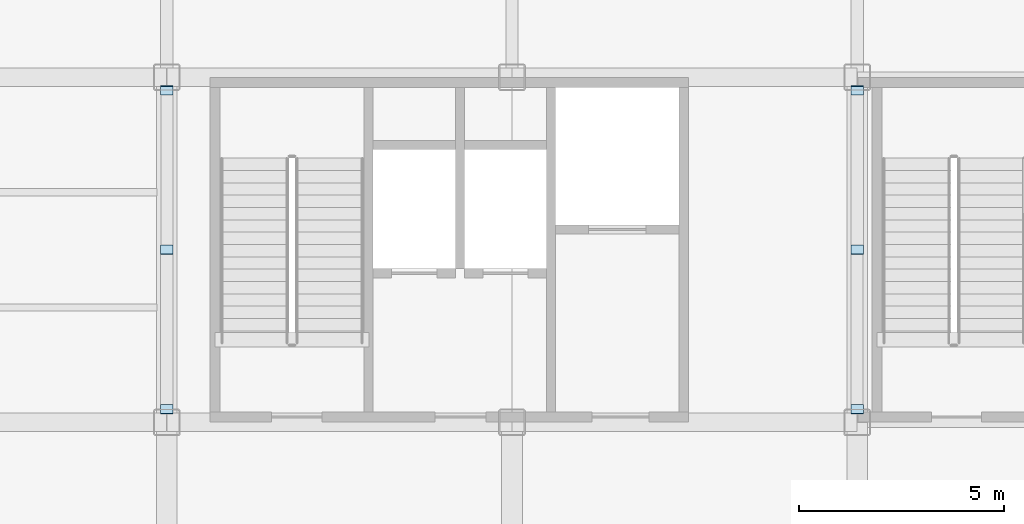
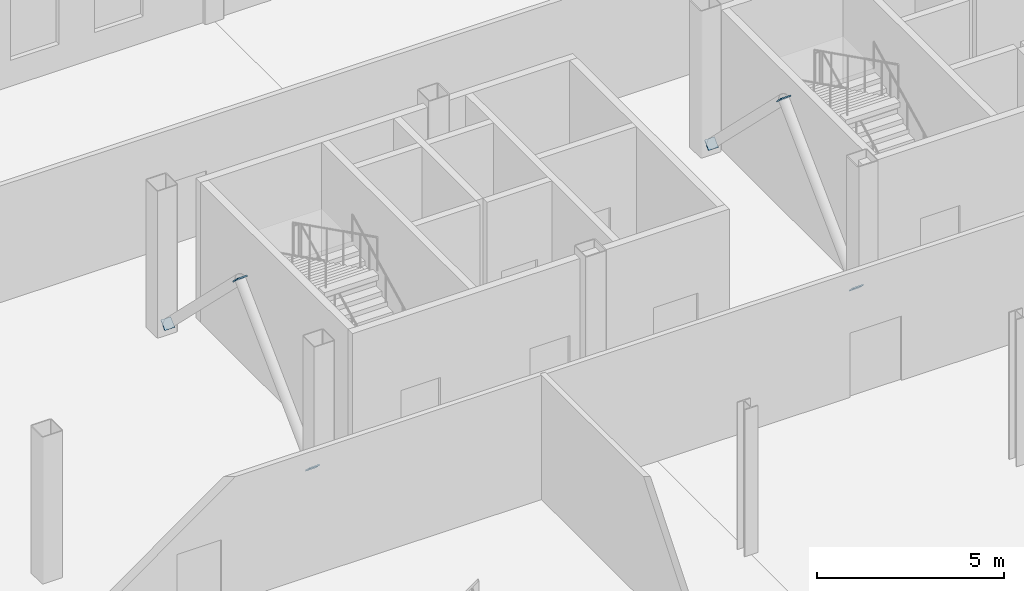
# One storey, part 52 of 82: 6 plates.
"""IFC4 building model written with IfcOpenShell, lengths in metres."""

from ifc_helpers import new_model, si_unit, direction, frame, origin, origin_2d, place, context, subcontext, project, spatial, rectangle, extrude, material, layer, layer_set, type_object, element, save


model = new_model("IFC4")

# Units and contexts
model_context = context("Model", 3, precision=1e-05, world=origin(), true_north=direction((0.0, 1.0)))
body_context = subcontext(model_context, "Body", "Model", "MODEL_VIEW")
ifc_project = project(units=[si_unit("LENGTHUNIT", "METRE"), si_unit("AREAUNIT", "SQUARE_METRE"), si_unit("VOLUMEUNIT", "CUBIC_METRE"), si_unit("PLANEANGLEUNIT", "RADIAN"), si_unit("MASSUNIT", "GRAM", prefix="KILO")], contexts=[model_context])

# Site, building, storey
site_placement = place(None, origin())
site = spatial("IfcSite", under=ifc_project, at=site_placement, CompositionType="ELEMENT")
building_placement = place(site_placement, origin())
building = spatial("IfcBuilding", under=site, at=building_placement, Name="Yukiwa Park Conservatory and Herbarium", CompositionType="ELEMENT")
storey_placement = place(building_placement, origin())
storey = spatial("IfcBuildingStorey", under=building, at=storey_placement, Name="L00", CompositionType="ELEMENT", Elevation=0.0)

# Plates
ifc_material = material(Name="Steel Q355D", Category="steel")
ifc_layer = layer(ifc_material, 0.02392578125)
ifc_layer_set = layer_set([ifc_layer], Name="Steel Q355D")
plate_type = type_object("IfcPlateType", Name="PL-CAP-24-INT", PredefinedType="USERDEFINED", material=ifc_layer_set)
for number, where, z_axis, x_axis, name in (
    (1, (133.199951171875, 95.129150390625, 0.373779296875), (0.0, -0.712175450482, -0.702001515476), (1.0, 0.0, 0.0), "Hollow section end cap plate CAP-BR-L00-001A"),
    (2, (133.199951171875, 98.994384765625, 4.179443359375), (0.0, 0.712175450482, 0.702001515476), (-1.0, 0.0, 0.0), "Hollow section end cap plate CAP-BR-L00-001B"),
    (3, (133.199951171875, 102.870849609375, 0.373779296875), (0.0, 0.712175450482, -0.702001515476), (-1.0, 0.0, 0.0), "Hollow section end cap plate CAP-BR-L00-002A"),
    (4, (150.0, 95.129150390625, 0.373779296875), (0.0, -0.712175450482, -0.702001515476), (1.0, 0.0, 0.0), "Hollow section end cap plate CAP-BR-L00-003A"),
    (5, (150.0, 98.994384765625, 4.179443359375), (0.0, 0.712175450482, 0.702001515476), (-1.0, 0.0, 0.0), "Hollow section end cap plate CAP-BR-L00-003B"),
    (6, (150.0, 102.870849609375, 0.373779296875), (0.0, 0.712175450482, -0.702001515476), (-1.0, 0.0, 0.0), "Hollow section end cap plate CAP-BR-L00-004A"),
):
    element("IfcPlate", number, at=place(storey_placement, frame(where, z_axis=z_axis, x_axis=x_axis)), inside=storey, type_object=plate_type, Name=name, ObjectType="END CAP PLATE", PredefinedType="USERDEFINED", context=body_context, shape_type="SweptSolid", body=[
        extrude(rectangle(XDim=0.306396484375, YDim=0.306396484375, at=origin_2d()), origin(), (0.0, 0.0, 1.0), 0.02392578125),
    ])

save(model, "model.ifc")
